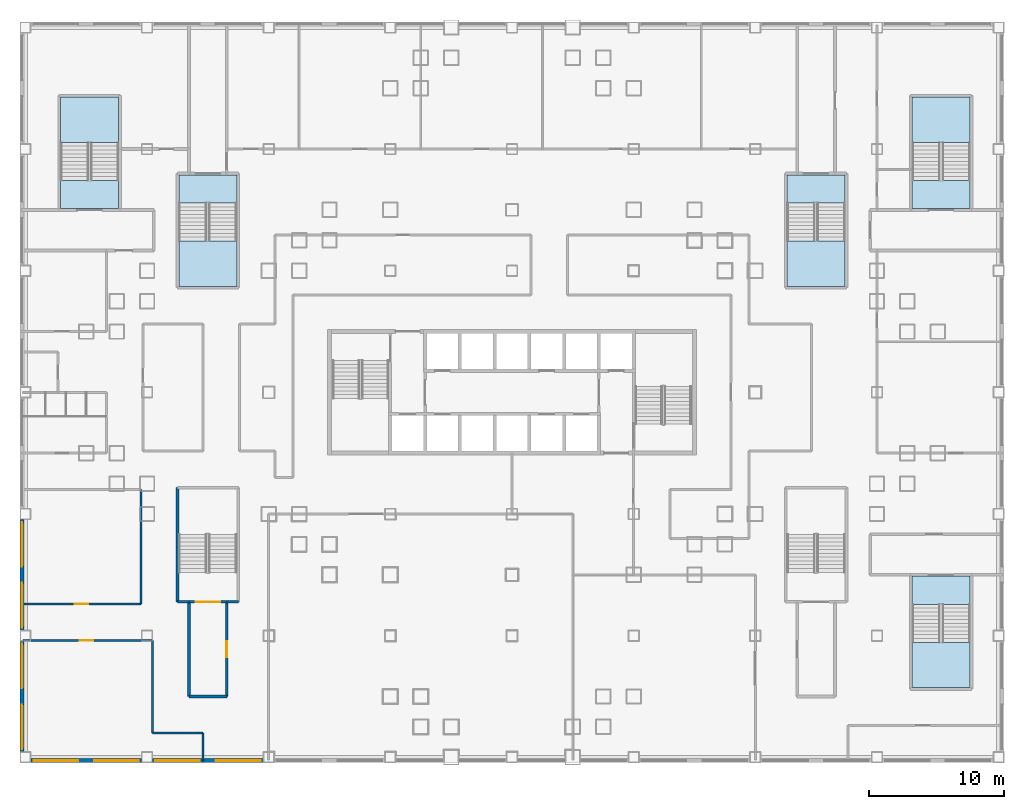
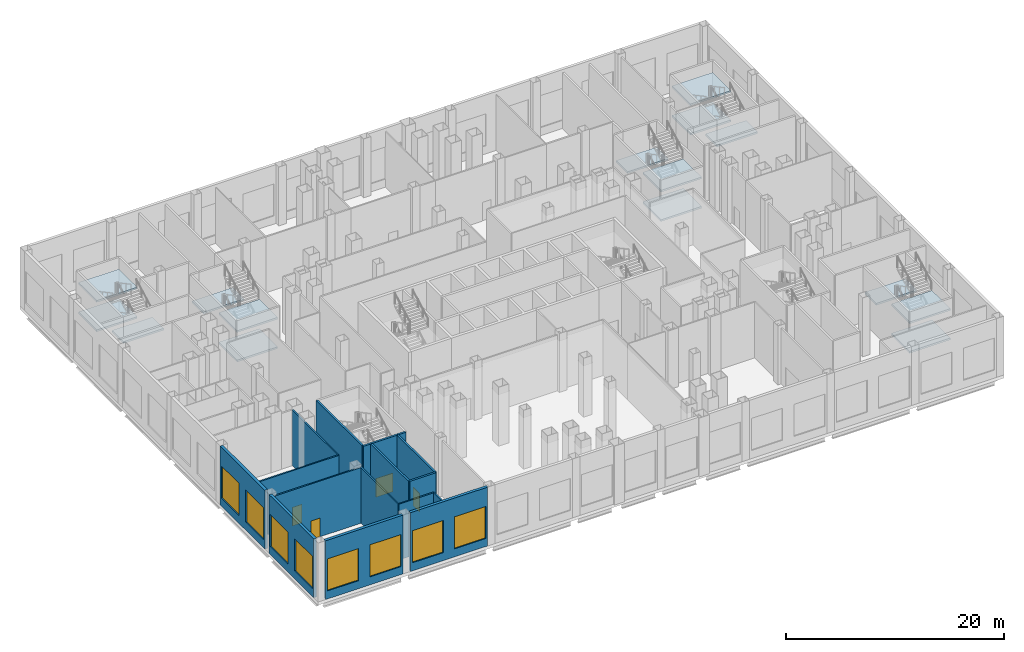
# One storey, part 2 of 26: 17 walls, 15 slabs, 8 windows, 4 doors, 12 openings, 5 elements without a shape of their own.
"""IFC4 building model written with IfcOpenShell, lengths in metres."""

import ifcopenshell
import ifcopenshell.guid

model = None  # the IFC model being written
_history = None  # IfcOwnerHistory: only IFC2X3 demands one
_inside = {}  # id of a spatial element -> (the spatial element, [elements in it])
_under = {}  # id of a project, library or spatial element -> (it, [spatial elements below it])
_declared = {}  # id of a project -> (the project, [libraries it declares])
_typed = {}  # id of a type object -> (the type object, [elements of that type])
_made_of = {}  # id of a material, layer set ... -> (it, [elements and type objects made of it])


def new_model(schema):
    """Start an empty IFC model of exactly this schema.

    Asked for "IFC4X3", IfcOpenShell would pick the latest addendum, in which some entities
    have other attributes; the version numbers below select the first issue.
    IFC2X3 requires an IfcOwnerHistory on every rooted entity: one is made here for all.
    """
    global model, _history
    if schema == "IFC4X3":
        model = ifcopenshell.file(schema_version=(4, 3, 0, 0))
    else:
        model = ifcopenshell.file(schema=schema)
    _inside.clear()
    _under.clear()
    _declared.clear()
    _typed.clear()
    _made_of.clear()
    _history = None
    if model.schema == "IFC2X3":
        org = make("IfcOrganization", Name="unknown")
        user = make(
            "IfcPersonAndOrganization",
            ThePerson=make("IfcPerson", FamilyName="unknown"),
            TheOrganization=org,
        )
        app = make(
            "IfcApplication",
            ApplicationDeveloper=org,
            Version="unknown",
            ApplicationFullName="unknown",
            ApplicationIdentifier="unknown",
        )
        _history = make(
            "IfcOwnerHistory",
            OwningUser=user,
            OwningApplication=app,
            ChangeAction="ADDED",
            CreationDate=0,
        )
    return model


def make(cls, **values):
    """One entity of the class cls with the attributes given. An attribute that is None is left unset."""
    return model.create_entity(
        cls, **{name: value for name, value in values.items() if value is not None}
    )


def rooted(cls, **values):
    """An entity with a GlobalId (a new one), such as an element, a storey or a relation."""
    return make(cls, GlobalId=ifcopenshell.guid.new(), OwnerHistory=_history, **values)


def si_unit(unit_type, name, prefix=None):
    """IfcSIUnit, for example si_unit("LENGTHUNIT", "METRE", prefix="MILLI")."""
    return make("IfcSIUnit", UnitType=unit_type, Prefix=prefix, Name=name)


def assignment(units):
    """IfcUnitAssignment: the units of a project."""
    return None if units is None else make("IfcUnitAssignment", Units=units)


def point(xyz):
    """IfcCartesianPoint."""
    return None if xyz is None else make("IfcCartesianPoint", Coordinates=xyz)


def direction(xyz):
    """IfcDirection."""
    return None if xyz is None else make("IfcDirection", DirectionRatios=xyz)


def frame(location, z_axis=None, x_axis=None):
    """IfcAxis2Placement3D, a coordinate frame: its origin and axes. An axis left out is left unset."""
    return make(
        "IfcAxis2Placement3D",
        Location=point(location),
        Axis=direction(z_axis),
        RefDirection=direction(x_axis),
    )


def frame_2d(location, x_axis=None):
    """IfcAxis2Placement2D, a coordinate frame in the plane: its origin and x axis."""
    return make(
        "IfcAxis2Placement2D", Location=point(location), RefDirection=direction(x_axis)
    )


def origin():
    """The frame at (0, 0, 0) with its axes left unset."""
    return frame((0.0, 0.0, 0.0))


def place(relative_to, where):
    """IfcLocalPlacement: puts the frame where relative to a parent placement (None: the world)."""
    return make(
        "IfcLocalPlacement", PlacementRelTo=relative_to, RelativePlacement=where
    )


def context(
    kind, dimensions, precision=None, world=None, true_north=None, identifier=None
):
    """IfcGeometricRepresentationContext, for example the 3D "Model" context."""
    return make(
        "IfcGeometricRepresentationContext",
        ContextIdentifier=identifier,
        ContextType=kind,
        CoordinateSpaceDimension=dimensions,
        Precision=precision,
        WorldCoordinateSystem=world,
        TrueNorth=true_north,
    )


def subcontext(parent, identifier, kind, view, scale=None):
    """IfcGeometricRepresentationSubContext, for example "Body" below "Model"."""
    return make(
        "IfcGeometricRepresentationSubContext",
        ContextIdentifier=identifier,
        ContextType=kind,
        ParentContext=parent,
        TargetScale=scale,
        TargetView=view,
    )


def project(units=None, contexts=None):
    """IfcProject with its units and contexts."""
    return rooted(
        "IfcProject",
        Name="project",
        RepresentationContexts=contexts,
        UnitsInContext=assignment(units),
    )


def spatial(cls, under=None, at=None, **own):
    """A site, building, storey or space (cls), placed at a placement, below another one or the project."""
    s = rooted(cls, ObjectPlacement=at, **own)
    if under is not None:
        _under.setdefault(under.id(), (under, []))[1].append(s)
    return s


def polyline(points):
    """IfcPolyline through the points."""
    return make("IfcPolyline", Points=[point(p) for p in points])


def profile(cls, at=None, kind="AREA", **sizes):
    """A parametric profile (cls). Its sizes go by their IFC names, for example OverallWidth=200.0."""
    return make(cls, ProfileType=kind, Position=at, **sizes)


def rectangle(**sizes):
    """IfcRectangleProfileDef."""
    return profile("IfcRectangleProfileDef", **sizes)


def outline(outer, holes=None, kind="AREA"):
    """IfcArbitraryClosedProfileDef: a profile drawn as a closed curve; with holes, ...WithVoids."""
    if holes is None:
        return make("IfcArbitraryClosedProfileDef", ProfileType=kind, OuterCurve=outer)
    return make(
        "IfcArbitraryProfileDefWithVoids",
        ProfileType=kind,
        OuterCurve=outer,
        InnerCurves=holes,
    )


def extrude(swept, where, along, depth):
    """IfcExtrudedAreaSolid: the profile swept, set in the frame where, extruded along a direction by depth."""
    return make(
        "IfcExtrudedAreaSolid",
        SweptArea=swept,
        Position=where,
        ExtrudedDirection=direction(along),
        Depth=depth,
    )


def shape(context_of_items, identifier, shape_type, items):
    """IfcShapeRepresentation: the items that make up one representation, for example the "Body"."""
    return make(
        "IfcShapeRepresentation",
        ContextOfItems=context_of_items,
        RepresentationIdentifier=identifier,
        RepresentationType=shape_type,
        Items=items,
    )


def material(Name=None, Category=None):
    """IfcMaterial."""
    return make("IfcMaterial", Name=Name, Category=Category)


def layer(
    of_material, thickness, ventilated=None, Name=None, Category=None, Priority=None
):
    """IfcMaterialLayer: one layer of a wall or slab, of a material (None: an air gap)."""
    return make(
        "IfcMaterialLayer",
        Material=of_material,
        LayerThickness=thickness,
        IsVentilated=ventilated,
        Name=Name,
        Category=Category,
        Priority=Priority,
    )


def layer_set(layers, Name=None):
    """IfcMaterialLayerSet."""
    return make("IfcMaterialLayerSet", MaterialLayers=layers, LayerSetName=Name)


def made_of(thing, what):
    """Note that an element or type object is made of a material, layer set ...; save() writes the relation."""
    if what is not None:
        _made_of.setdefault(what.id(), (what, []))[1].append(thing)
    return thing


def type_object(cls, material=None, **own):
    """A type object (cls), such as IfcWallType, which elements share."""
    return made_of(rooted(cls, **own), material)


def element(
    cls,
    number,
    at=None,
    inside=None,
    cuts=None,
    type_object=None,
    material=None,
    context=None,
    identifier="Body",
    shape_type=None,
    held_by="IfcProductDefinitionShape",
    body=None,
    shapes=None,
    **own,
):
    """One element of the class cls, such as IfcWall. Its Tag is "e" and its number.

    at: its placement. inside: the storey or other place that contains it. cuts: it is an
    opening in that element (IfcRelVoidsElement). A single representation is given by context,
    identifier, shape_type and body (its items); several are given by shapes. held_by: the class
    of the entity that holds the representations. save() writes the other relations.
    """
    e = rooted(cls, Tag="e%d" % number, ObjectPlacement=at, **own)
    if body is not None:
        shapes = [shape(context, identifier, shape_type, body)]
    if shapes is not None:
        e.Representation = make(held_by, Representations=shapes)
    if inside is not None:
        _inside.setdefault(inside.id(), (inside, []))[1].append(e)
    if cuts is not None:
        rooted(
            "IfcRelVoidsElement", RelatingBuildingElement=cuts, RelatedOpeningElement=e
        )
    if type_object is not None:
        _typed.setdefault(type_object.id(), (type_object, []))[1].append(e)
    return made_of(e, material)


def fill(opening, filler):
    """IfcRelFillsElement: the door or window that sits in an opening."""
    return rooted(
        "IfcRelFillsElement",
        RelatingOpeningElement=opening,
        RelatedBuildingElement=filler,
    )


def aggregate(whole, parts):
    """IfcRelAggregates: a whole, such as a stair, and the parts it consists of."""
    return rooted("IfcRelAggregates", RelatingObject=whole, RelatedObjects=parts)


def save(model, path):
    """Write the relations noted so far, then the file.

    IfcRelAggregates (storeys below a building ...), IfcRelContainedInSpatialStructure (elements
    in a storey), IfcRelDefinesByType, IfcRelAssociatesMaterial and IfcRelDeclares: one each for
    every whole, place, type object, material and project.
    """
    for whole, parts in _under.values():
        aggregate(whole, parts)
    for where, things in _inside.values():
        rooted(
            "IfcRelContainedInSpatialStructure",
            RelatedElements=things,
            RelatingStructure=where,
        )
    for kind, things in _typed.values():
        rooted("IfcRelDefinesByType", RelatedObjects=things, RelatingType=kind)
    for what, things in _made_of.values():
        rooted("IfcRelAssociatesMaterial", RelatedObjects=things, RelatingMaterial=what)
    for by, libraries in _declared.values():
        rooted("IfcRelDeclares", RelatingContext=by, RelatedDefinitions=libraries)
    model.write(path)


model = new_model("IFC4")

# Units and contexts
model_context = context("Model", 3, precision=1e-05, world=origin(), true_north=direction((0.0, 1.0)))
body_context = subcontext(model_context, "Body", "Model", "MODEL_VIEW")
ifc_project = project(units=[si_unit("LENGTHUNIT", "METRE"), si_unit("AREAUNIT", "SQUARE_METRE"), si_unit("VOLUMEUNIT", "CUBIC_METRE"), si_unit("PLANEANGLEUNIT", "RADIAN"), si_unit("MASSUNIT", "GRAM", prefix="KILO")], contexts=[model_context])

# Site, building, storey
site_placement = place(None, origin())
site = spatial("IfcSite", under=ifc_project, at=site_placement, CompositionType="ELEMENT")
building_placement = place(site_placement, origin())
building = spatial("IfcBuilding", under=site, at=building_placement, Name="Caravel Reach Hotel and Residences", CompositionType="ELEMENT")
storey_placement = place(building_placement, frame((0.0, 0.0, 17.39990234375)))
storey = spatial("IfcBuildingStorey", under=building, at=storey_placement, Name="L03", CompositionType="ELEMENT", Elevation=17.39990234375)

# Stair, slabs
ifc_material_1 = material(Name="Concrete C40", Category="concrete")
stair_type = type_object("IfcStairType", Name="Core stair", PredefinedType="HALF_TURN_STAIR", material=ifc_material_1)
stair_1_placement = place(storey_placement, origin())
stair_1 = element("IfcStair", 1, at=stair_1_placement, inside=storey, type_object=stair_type, Name="L03 Exit stair P1", PredefinedType="HALF_TURN_STAIR")
ifc_material_2 = material(Name="Concrete C40", Category="concrete")
ifc_layer_1 = layer(ifc_material_2, 0.199951171875)
ifc_layer_set_1 = layer_set([ifc_layer_1], Name="Core stair landing")
slab_type = type_object("IfcSlabType", Name="Core stair landing", PredefinedType="LANDING", material=ifc_layer_set_1)
slab_1_placement = place(storey_placement, frame((0.0, 0.0, 1.4501953125)))
slab_1 = element("IfcSlab", 2, at=slab_1_placement, type_object=slab_type, Name="ST-P1 landing 1", PredefinedType="LANDING", context=body_context, shape_type="SweptSolid", body=[
    extrude(outline(polyline([(6.85009765625, 38.2099609375), (6.85009765625, 34.85009765625), (11.14990234375, 34.85009765625), (11.14990234375, 38.2099609375), (6.85009765625, 38.2099609375)])), origin(), (0.0, 0.0, 1.0), 0.199951171875),
])
slab_2_placement = place(storey_placement, frame((0.0, 0.0, 3.10009765625)))
slab_2 = element("IfcSlab", 3, at=slab_2_placement, type_object=slab_type, Name="ST-P1 landing 2", PredefinedType="LANDING", context=body_context, shape_type="SweptSolid", body=[
    extrude(outline(polyline([(6.85009765625, 43.10009765625), (6.85009765625, 41.010009765625), (11.14990234375, 41.010009765625), (11.14990234375, 43.10009765625), (6.85009765625, 43.10009765625)])), origin(), (0.0, 0.0, 1.0), 0.199951171875),
])
slab_3_placement = place(storey_placement, frame((0.0, 0.0, 4.75)))
slab_3 = element("IfcSlab", 4, at=slab_3_placement, type_object=slab_type, Name="ST-P1 landing 3", PredefinedType="LANDING", context=body_context, shape_type="SweptSolid", body=[
    extrude(outline(polyline([(6.85009765625, 38.2099609375), (6.85009765625, 34.85009765625), (11.14990234375, 34.85009765625), (11.14990234375, 38.2099609375), (6.85009765625, 38.2099609375)])), origin(), (0.0, 0.0, 1.0), 0.2001953125),
])
aggregate(stair_1, [slab_1, slab_2, slab_3])

stair_2_placement = place(storey_placement, origin())
stair_2 = element("IfcStair", 5, at=stair_2_placement, inside=storey, type_object=stair_type, Name="L03 Exit stair P2", PredefinedType="HALF_TURN_STAIR")
slab_4_placement = place(storey_placement, frame((0.0, 0.0, 1.4501953125)))
slab_4 = element("IfcSlab", 6, at=slab_4_placement, type_object=slab_type, Name="ST-P2 landing 1", PredefinedType="LANDING", context=body_context, shape_type="SweptSolid", body=[
    extrude(outline(polyline([(51.85009765625, 38.2099609375), (51.85009765625, 34.85009765625), (56.14990234375, 34.85009765625), (56.14990234375, 38.2099609375), (51.85009765625, 38.2099609375)])), origin(), (0.0, 0.0, 1.0), 0.199951171875),
])
slab_5_placement = place(storey_placement, frame((0.0, 0.0, 3.10009765625)))
slab_5 = element("IfcSlab", 7, at=slab_5_placement, type_object=slab_type, Name="ST-P2 landing 2", PredefinedType="LANDING", context=body_context, shape_type="SweptSolid", body=[
    extrude(outline(polyline([(51.85009765625, 43.10009765625), (51.85009765625, 41.010009765625), (56.14990234375, 41.010009765625), (56.14990234375, 43.10009765625), (51.85009765625, 43.10009765625)])), origin(), (0.0, 0.0, 1.0), 0.199951171875),
])
slab_6_placement = place(storey_placement, frame((0.0, 0.0, 4.75)))
slab_6 = element("IfcSlab", 8, at=slab_6_placement, type_object=slab_type, Name="ST-P2 landing 3", PredefinedType="LANDING", context=body_context, shape_type="SweptSolid", body=[
    extrude(outline(polyline([(51.85009765625, 38.2099609375), (51.85009765625, 34.85009765625), (56.14990234375, 34.85009765625), (56.14990234375, 38.2099609375), (51.85009765625, 38.2099609375)])), origin(), (0.0, 0.0, 1.0), 0.2001953125),
])
aggregate(stair_2, [slab_4, slab_5, slab_6])

stair_3_placement = place(storey_placement, origin())
stair_3 = element("IfcStair", 9, at=stair_3_placement, inside=storey, type_object=stair_type, Name="L03 Exit stair P5", PredefinedType="HALF_TURN_STAIR")
slab_7_placement = place(storey_placement, frame((0.0, 0.0, 1.4501953125)))
slab_7 = element("IfcSlab", 10, at=slab_7_placement, type_object=slab_type, Name="ST-P5 landing 1", PredefinedType="LANDING", context=body_context, shape_type="SweptSolid", body=[
    extrude(outline(polyline([(2.39990234375, 45.489990234375), (2.39990234375, 48.85009765625), (-1.89990234375, 48.85009765625), (-1.89990234375, 45.489990234375), (2.39990234375, 45.489990234375)])), origin(), (0.0, 0.0, 1.0), 0.199951171875),
])
slab_8_placement = place(storey_placement, frame((0.0, 0.0, 3.10009765625)))
slab_8 = element("IfcSlab", 11, at=slab_8_placement, type_object=slab_type, Name="ST-P5 landing 2", PredefinedType="LANDING", context=body_context, shape_type="SweptSolid", body=[
    extrude(outline(polyline([(2.39990234375, 40.60009765625), (2.39990234375, 42.68994140625), (-1.89990234375, 42.68994140625), (-1.89990234375, 40.60009765625), (2.39990234375, 40.60009765625)])), origin(), (0.0, 0.0, 1.0), 0.199951171875),
])
slab_9_placement = place(storey_placement, frame((0.0, 0.0, 4.75)))
slab_9 = element("IfcSlab", 12, at=slab_9_placement, type_object=slab_type, Name="ST-P5 landing 3", PredefinedType="LANDING", context=body_context, shape_type="SweptSolid", body=[
    extrude(outline(polyline([(2.39990234375, 45.489990234375), (2.39990234375, 48.85009765625), (-1.89990234375, 48.85009765625), (-1.89990234375, 45.489990234375), (2.39990234375, 45.489990234375)])), origin(), (0.0, 0.0, 1.0), 0.2001953125),
])
aggregate(stair_3, [slab_7, slab_8, slab_9])

stair_4_placement = place(storey_placement, origin())
stair_4 = element("IfcStair", 13, at=stair_4_placement, inside=storey, type_object=stair_type, Name="L03 Exit stair P6", PredefinedType="HALF_TURN_STAIR")
slab_10_placement = place(storey_placement, frame((0.0, 0.0, 1.4501953125)))
slab_10 = element("IfcSlab", 14, at=slab_10_placement, type_object=slab_type, Name="ST-P6 landing 1", PredefinedType="LANDING", context=body_context, shape_type="SweptSolid", body=[
    extrude(outline(polyline([(65.39990234375, 45.489990234375), (65.39990234375, 48.85009765625), (61.10009765625, 48.85009765625), (61.10009765625, 45.489990234375), (65.39990234375, 45.489990234375)])), origin(), (0.0, 0.0, 1.0), 0.199951171875),
])
slab_11_placement = place(storey_placement, frame((0.0, 0.0, 3.10009765625)))
slab_11 = element("IfcSlab", 15, at=slab_11_placement, type_object=slab_type, Name="ST-P6 landing 2", PredefinedType="LANDING", context=body_context, shape_type="SweptSolid", body=[
    extrude(outline(polyline([(65.39990234375, 40.60009765625), (65.39990234375, 42.68994140625), (61.10009765625, 42.68994140625), (61.10009765625, 40.60009765625), (65.39990234375, 40.60009765625)])), origin(), (0.0, 0.0, 1.0), 0.199951171875),
])
slab_12_placement = place(storey_placement, frame((0.0, 0.0, 4.75)))
slab_12 = element("IfcSlab", 16, at=slab_12_placement, type_object=slab_type, Name="ST-P6 landing 3", PredefinedType="LANDING", context=body_context, shape_type="SweptSolid", body=[
    extrude(outline(polyline([(65.39990234375, 45.489990234375), (65.39990234375, 48.85009765625), (61.10009765625, 48.85009765625), (61.10009765625, 45.489990234375), (65.39990234375, 45.489990234375)])), origin(), (0.0, 0.0, 1.0), 0.2001953125),
])
aggregate(stair_4, [slab_10, slab_11, slab_12])

stair_5_placement = place(storey_placement, origin())
stair_5 = element("IfcStair", 17, at=stair_5_placement, inside=storey, type_object=stair_type, Name="L03 Exit stair P7", PredefinedType="HALF_TURN_STAIR")
slab_13_placement = place(storey_placement, frame((0.0, 0.0, 1.4501953125)))
slab_13 = element("IfcSlab", 18, at=slab_13_placement, type_object=slab_type, Name="ST-P7 landing 1", PredefinedType="LANDING", context=body_context, shape_type="SweptSolid", body=[
    extrude(outline(polyline([(61.10009765625, 8.510009765625), (61.10009765625, 5.14990234375), (65.39990234375, 5.14990234375), (65.39990234375, 8.510009765625), (61.10009765625, 8.510009765625)])), origin(), (0.0, 0.0, 1.0), 0.199951171875),
])
slab_14_placement = place(storey_placement, frame((0.0, 0.0, 3.10009765625)))
slab_14 = element("IfcSlab", 19, at=slab_14_placement, type_object=slab_type, Name="ST-P7 landing 2", PredefinedType="LANDING", context=body_context, shape_type="SweptSolid", body=[
    extrude(outline(polyline([(61.10009765625, 13.39990234375), (61.10009765625, 11.31005859375), (65.39990234375, 11.31005859375), (65.39990234375, 13.39990234375), (61.10009765625, 13.39990234375)])), origin(), (0.0, 0.0, 1.0), 0.199951171875),
])
slab_15_placement = place(storey_placement, frame((0.0, 0.0, 4.75)))
slab_15 = element("IfcSlab", 20, at=slab_15_placement, type_object=slab_type, Name="ST-P7 landing 3", PredefinedType="LANDING", context=body_context, shape_type="SweptSolid", body=[
    extrude(outline(polyline([(61.10009765625, 8.510009765625), (61.10009765625, 5.14990234375), (65.39990234375, 5.14990234375), (65.39990234375, 8.510009765625), (61.10009765625, 8.510009765625)])), origin(), (0.0, 0.0, 1.0), 0.2001953125),
])
aggregate(stair_5, [slab_13, slab_14, slab_15])

# Wall
ifc_material_3 = material(Name="Autoclaved aerated block wall")
ifc_layer_2 = layer(ifc_material_3, 0.199951171875)
ifc_layer_set_2 = layer_set([ifc_layer_2], Name="Compartment wall 200 mm EI 120")
wall_type_1 = type_object("IfcWallType", Name="Compartment wall 200 mm EI 120", PredefinedType="PARTITIONING", material=ifc_layer_set_2)
wall_1_placement = place(storey_placement, frame((7.60009765625, 4.5, 0.0), z_axis=(0.0, 0.0, 1.0), x_axis=(1.0, 0.0, 0.0)))
element("IfcWall", 21, at=wall_1_placement, inside=storey, type_object=wall_type_1, Name="L03 wall w077", PredefinedType="PARTITIONING", context=body_context, shape_type="SweptSolid", body=[
    extrude(rectangle(XDim=2.7998046875, YDim=0.199951171875, at=frame_2d((1.39990234375, 0.0))), origin(), (0.0, 0.0, 1.0), 6.25),
])

# Wall, opening, door
wall_2_placement = place(storey_placement, frame((10.39990234375, 4.5, 0.0), z_axis=(0.0, 0.0, 1.0), x_axis=(0.0, 1.0, 0.0)))
wall_2 = element("IfcWall", 22, at=wall_2_placement, inside=storey, type_object=wall_type_1, Name="L03 wall w087", PredefinedType="PARTITIONING", context=body_context, shape_type="SweptSolid", body=[
    extrude(rectangle(XDim=7.0, YDim=0.199951171875, at=frame_2d((3.5, 0.0))), origin(), (0.0, 0.0, 1.0), 6.25),
])
opening_1_placement = place(wall_2_placement, frame((2.89990234375, 0.0, 0.0)))
opening_1 = element("IfcOpeningElement", 23, at=opening_1_placement, cuts=wall_2, Name="Opening D03-018", PredefinedType="OPENING", context=body_context, shape_type="SweptSolid", body=[
    extrude(rectangle(XDim=1.199951171875, YDim=2.10009765625, at=frame_2d((0.60009765625, 1.050048828125))), frame((0.0, 0.10986328125, 0.0), z_axis=(0.0, -1.0, 0.0), x_axis=(1.0, 0.0, 0.0)), (0.0, 0.0, 1.0), 0.219970703125),
])
ifc_material_4 = material(Name="Steel fire door leaf", Category="steel")
door_type_1 = type_object("IfcDoorType", Name="Fire lobby door 1200 x 2100 EI 90", OperationType="SINGLE_SWING_LEFT", PredefinedType="DOOR", material=ifc_material_4)
door_1_placement = place(opening_1_placement, origin())
door_1 = element("IfcDoor", 24, at=door_1_placement, inside=storey, type_object=door_type_1, Name="door D03-018", OperationType="SINGLE_SWING_LEFT", OverallHeight=2.10009765625, OverallWidth=1.199951171875, PredefinedType="DOOR", context=body_context, shape_type="SweptSolid", body=[
    extrude(rectangle(XDim=1.199951171875, YDim=2.10009765625, at=frame_2d((0.60009765625, 1.050048828125))), frame((0.0, 0.02490234375, 0.0), z_axis=(0.0, -1.0, 0.0), x_axis=(1.0, 0.0, 0.0)), (0.0, 0.0, 1.0), 0.050048828125),
])
fill(opening_1, door_1)

# Walls
wall_3_placement = place(storey_placement, frame((7.60009765625, 4.5, 0.0), z_axis=(0.0, 0.0, 1.0), x_axis=(0.0, 1.0, 0.0)))
element("IfcWall", 25, at=wall_3_placement, inside=storey, type_object=wall_type_1, Name="L03 wall w098", PredefinedType="PARTITIONING", context=body_context, shape_type="SweptSolid", body=[
    extrude(rectangle(XDim=7.0, YDim=0.199951171875, at=frame_2d((3.5, 0.0))), origin(), (0.0, 0.0, 1.0), 6.25),
])
ifc_material_5 = material(Name="Gypsum board on steel stud, fire-rated", Category="steel")
ifc_layer_3 = layer(ifc_material_5, 0.14990234375)
ifc_layer_set_3 = layer_set([ifc_layer_3], Name="Corridor wall 150 mm EI 60")
wall_type_2 = type_object("IfcWallType", Name="Corridor wall 150 mm EI 60", PredefinedType="PARTITIONING", material=ifc_layer_set_3)
wall_4_placement = place(storey_placement, frame((4.89990234375, 1.800048828125, 0.0), z_axis=(0.0, 0.0, 1.0), x_axis=(1.0, 0.0, 0.0)))
element("IfcWall", 26, at=wall_4_placement, inside=storey, type_object=wall_type_2, Name="L03 wall w001", PredefinedType="PARTITIONING", context=body_context, shape_type="SweptSolid", body=[
    extrude(rectangle(XDim=3.75, YDim=0.14990234375, at=frame_2d((1.875, 0.0))), origin(), (0.0, 0.0, 1.0), 6.25),
])

# Wall, opening, door
wall_5_placement = place(storey_placement, frame((-4.6201171875, 11.35009765625, 0.0), z_axis=(0.0, 0.0, 1.0), x_axis=(1.0, 0.0, 0.0)))
wall_5 = element("IfcWall", 27, at=wall_5_placement, inside=storey, type_object=wall_type_2, Name="L03 wall w002", PredefinedType="PARTITIONING", context=body_context, shape_type="SweptSolid", body=[
    extrude(rectangle(XDim=8.670166015625, YDim=0.14990234375, at=frame_2d((4.3349609375, 0.0))), origin(), (0.0, 0.0, 1.0), 6.25),
])
opening_2_placement = place(wall_5_placement, frame((3.77490234375, 0.0, 0.0)))
opening_2 = element("IfcOpeningElement", 28, at=opening_2_placement, cuts=wall_5, Name="Opening D03-048", PredefinedType="OPENING", context=body_context, shape_type="SweptSolid", body=[
    extrude(rectangle(XDim=1.0, YDim=2.10009765625, at=frame_2d((0.5, 1.050048828125))), frame((0.0, 0.0849609375, 0.0), z_axis=(0.0, -1.0, 0.0), x_axis=(1.0, 0.0, 0.0)), (0.0, 0.0, 1.0), 0.169921875),
])
ifc_material_6 = material(Name="Steel fire door leaf", Category="steel")
door_type_2 = type_object("IfcDoorType", Name="Fire door 1000 x 2100 EI 60", OperationType="SINGLE_SWING_LEFT", PredefinedType="DOOR", material=ifc_material_6)
door_2_placement = place(opening_2_placement, origin())
door_2 = element("IfcDoor", 29, at=door_2_placement, inside=storey, type_object=door_type_2, Name="door D03-048", OperationType="SINGLE_SWING_RIGHT", OverallHeight=2.10009765625, OverallWidth=1.0, PredefinedType="DOOR", context=body_context, shape_type="SweptSolid", body=[
    extrude(rectangle(XDim=1.0, YDim=2.10009765625, at=frame_2d((0.5, 1.050048828125))), frame((0.0, 0.02490234375, 0.0), z_axis=(0.0, -1.0, 0.0), x_axis=(1.0, 0.0, 0.0)), (0.0, 0.0, 1.0), 0.050048828125),
])
fill(opening_2, door_2)

wall_6_placement = place(storey_placement, frame((-4.68994140625, 8.64990234375, 0.0), z_axis=(0.0, 0.0, 1.0), x_axis=(1.0, 0.0, 0.0)))
wall_6 = element("IfcWall", 30, at=wall_6_placement, inside=storey, type_object=wall_type_2, Name="L03 wall w030", PredefinedType="PARTITIONING", context=body_context, shape_type="SweptSolid", body=[
    extrude(rectangle(XDim=9.58984375, YDim=0.14990234375, at=frame_2d((4.794921875, 0.0))), origin(), (0.0, 0.0, 1.0), 6.25),
])
opening_3_placement = place(wall_6_placement, frame((4.199951171875, 0.0, 0.0)))
opening_3 = element("IfcOpeningElement", 31, at=opening_3_placement, cuts=wall_6, Name="Opening D03-047", PredefinedType="OPENING", context=body_context, shape_type="SweptSolid", body=[
    extrude(rectangle(XDim=1.0, YDim=2.10009765625, at=frame_2d((0.5, 1.050048828125))), frame((0.0, 0.0849609375, 0.0), z_axis=(0.0, -1.0, 0.0), x_axis=(1.0, 0.0, 0.0)), (0.0, 0.0, 1.0), 0.169921875),
])
door_3_placement = place(opening_3_placement, origin())
door_3 = element("IfcDoor", 32, at=door_3_placement, inside=storey, type_object=door_type_2, Name="door D03-047", OperationType="SINGLE_SWING_LEFT", OverallHeight=2.10009765625, OverallWidth=1.0, PredefinedType="DOOR", context=body_context, shape_type="SweptSolid", body=[
    extrude(rectangle(XDim=1.0, YDim=2.10009765625, at=frame_2d((0.5, 1.050048828125))), frame((0.0, 0.02490234375, 0.0), z_axis=(0.0, -1.0, 0.0), x_axis=(1.0, 0.0, 0.0)), (0.0, 0.0, 1.0), 0.050048828125),
])
fill(opening_3, door_3)

# Walls
wall_7_placement = place(storey_placement, frame((4.050048828125, 11.35009765625, 0.0), z_axis=(0.0, 0.0, 1.0), x_axis=(0.0, 1.0, 0.0)))
element("IfcWall", 33, at=wall_7_placement, inside=storey, type_object=wall_type_2, Name="L03 wall w042", PredefinedType="PARTITIONING", context=body_context, shape_type="SweptSolid", body=[
    extrude(rectangle(XDim=8.449951171875, YDim=0.14990234375, at=frame_2d((4.22509765625, 0.0))), origin(), (0.0, 0.0, 1.0), 6.25),
])
wall_8_placement = place(storey_placement, frame((4.89990234375, 1.800048828125, 0.0), z_axis=(0.0, 0.0, 1.0), x_axis=(0.0, 1.0, 0.0)))
element("IfcWall", 34, at=wall_8_placement, inside=storey, type_object=wall_type_2, Name="L03 wall w044", PredefinedType="PARTITIONING", context=body_context, shape_type="SweptSolid", body=[
    extrude(rectangle(XDim=6.849853515625, YDim=0.14990234375, at=frame_2d((3.4248046875, 0.0))), origin(), (0.0, 0.0, 1.0), 6.25),
])
wall_9_placement = place(storey_placement, frame((8.64990234375, -0.2900390625, 0.0), z_axis=(0.0, 0.0, 1.0), x_axis=(0.0, 1.0, 0.0)))
element("IfcWall", 35, at=wall_9_placement, inside=storey, type_object=wall_type_2, Name="L03 wall w057", PredefinedType="PARTITIONING", context=body_context, shape_type="SweptSolid", body=[
    extrude(rectangle(XDim=2.090087890625, YDim=0.14990234375, at=frame_2d((1.044921875, 0.0))), origin(), (0.0, 0.0, 1.0), 6.25),
])

# Wall, openings, windows
ifc_material_7 = material(Name="Insulated wall, stone cladding", Category="masonry")
ifc_layer_4 = layer(ifc_material_7, 0.300048828125)
ifc_layer_set_4 = layer_set([ifc_layer_4], Name="EW2 Podium stone-clad wall")
wall_type_3 = type_object("IfcWallType", Name="EW2 Podium stone-clad wall", PredefinedType="SOLIDWALL", material=ifc_layer_set_4)
wall_10_placement = place(storey_placement, frame((-4.75, 17.60009765625, 0.0), z_axis=(0.0, 0.0, 1.0), x_axis=(0.0, -1.0, 0.0)))
wall_10 = element("IfcWall", 36, at=wall_10_placement, inside=storey, type_object=wall_type_3, Name="External wall L03 W3.5", PredefinedType="SOLIDWALL", context=body_context, shape_type="SweptSolid", body=[
    extrude(rectangle(XDim=8.2001953125, YDim=0.300048828125, at=frame_2d((4.10009765625, 0.0))), origin(), (0.0, 0.0, 1.0), 6.60009765625),
])
opening_4_placement = place(wall_10_placement, frame((0.199951171875, 0.0, 0.89990234375)))
opening_4 = element("IfcOpeningElement", 37, at=opening_4_placement, cuts=wall_10, Name="Opening WN31", PredefinedType="OPENING", context=body_context, shape_type="SweptSolid", body=[
    extrude(rectangle(XDim=3.300048828125, YDim=3.60009765625, at=frame_2d((1.64990234375, 1.800048828125))), frame((0.0, 0.159912109375, 0.0), z_axis=(0.0, -1.0, 0.0), x_axis=(1.0, 0.0, 0.0)), (0.0, 0.0, 1.0), 0.320068359375),
])
opening_5_placement = place(wall_10_placement, frame((4.699951171875, 0.0, 0.89990234375)))
opening_5 = element("IfcOpeningElement", 38, at=opening_5_placement, cuts=wall_10, Name="Opening WN31", PredefinedType="OPENING", context=body_context, shape_type="SweptSolid", body=[
    extrude(rectangle(XDim=3.300048828125, YDim=3.60009765625, at=frame_2d((1.64990234375, 1.800048828125))), frame((0.0, 0.159912109375, 0.0), z_axis=(0.0, -1.0, 0.0), x_axis=(1.0, 0.0, 0.0)), (0.0, 0.0, 1.0), 0.320068359375),
])
ifc_material_8 = material(Name="Dark low-e glazing in black aluminium frame", Category="aluminium")
window_type = type_object("IfcWindowType", Name="Podium window 3300 x 3600", PartitioningType="SINGLE_PANEL", PredefinedType="WINDOW", material=ifc_material_8)
window_1_placement = place(opening_4_placement, origin())
window_1 = element("IfcWindow", 39, at=window_1_placement, inside=storey, type_object=window_type, Name="Window L03 W3.5.1", OverallHeight=3.60009765625, OverallWidth=3.300048828125, PartitioningType="SINGLE_PANEL", PredefinedType="WINDOW", context=body_context, shape_type="SweptSolid", body=[
    extrude(rectangle(XDim=3.300048828125, YDim=3.60009765625, at=frame_2d((1.64990234375, 1.800048828125))), frame((0.0, 0.030029296875, 0.0), z_axis=(0.0, -1.0, 0.0), x_axis=(1.0, 0.0, 0.0)), (0.0, 0.0, 1.0), 0.06005859375),
])
fill(opening_4, window_1)
window_2_placement = place(opening_5_placement, origin())
window_2 = element("IfcWindow", 40, at=window_2_placement, inside=storey, type_object=window_type, Name="Window L03 W3.5.2", OverallHeight=3.60009765625, OverallWidth=3.300048828125, PartitioningType="SINGLE_PANEL", PredefinedType="WINDOW", context=body_context, shape_type="SweptSolid", body=[
    extrude(rectangle(XDim=3.300048828125, YDim=3.60009765625, at=frame_2d((1.64990234375, 1.800048828125))), frame((0.0, 0.030029296875, 0.0), z_axis=(0.0, -1.0, 0.0), x_axis=(1.0, 0.0, 0.0)), (0.0, 0.0, 1.0), 0.06005859375),
])
fill(opening_5, window_2)

wall_11_placement = place(storey_placement, frame((-4.75, 8.60009765625, 0.0), z_axis=(0.0, 0.0, 1.0), x_axis=(0.0, -1.0, 0.0)))
wall_11 = element("IfcWall", 41, at=wall_11_placement, inside=storey, type_object=wall_type_3, Name="External wall L03 W3.6", PredefinedType="SOLIDWALL", context=body_context, shape_type="SweptSolid", body=[
    extrude(rectangle(XDim=8.2001953125, YDim=0.300048828125, at=frame_2d((4.10009765625, 0.0))), origin(), (0.0, 0.0, 1.0), 6.60009765625),
])
opening_6_placement = place(wall_11_placement, frame((0.199951171875, 0.0, 0.89990234375)))
opening_6 = element("IfcOpeningElement", 42, at=opening_6_placement, cuts=wall_11, Name="Opening WN31", PredefinedType="OPENING", context=body_context, shape_type="SweptSolid", body=[
    extrude(rectangle(XDim=3.300048828125, YDim=3.60009765625, at=frame_2d((1.64990234375, 1.800048828125))), frame((0.0, 0.159912109375, 0.0), z_axis=(0.0, -1.0, 0.0), x_axis=(1.0, 0.0, 0.0)), (0.0, 0.0, 1.0), 0.320068359375),
])
opening_7_placement = place(wall_11_placement, frame((4.699951171875, 0.0, 0.89990234375)))
opening_7 = element("IfcOpeningElement", 43, at=opening_7_placement, cuts=wall_11, Name="Opening WN31", PredefinedType="OPENING", context=body_context, shape_type="SweptSolid", body=[
    extrude(rectangle(XDim=3.300048828125, YDim=3.60009765625, at=frame_2d((1.64990234375, 1.800048828125))), frame((0.0, 0.159912109375, 0.0), z_axis=(0.0, -1.0, 0.0), x_axis=(1.0, 0.0, 0.0)), (0.0, 0.0, 1.0), 0.320068359375),
])
window_3_placement = place(opening_6_placement, origin())
window_3 = element("IfcWindow", 44, at=window_3_placement, inside=storey, type_object=window_type, Name="Window L03 W3.6.1", OverallHeight=3.60009765625, OverallWidth=3.300048828125, PartitioningType="SINGLE_PANEL", PredefinedType="WINDOW", context=body_context, shape_type="SweptSolid", body=[
    extrude(rectangle(XDim=3.300048828125, YDim=3.60009765625, at=frame_2d((1.64990234375, 1.800048828125))), frame((0.0, 0.030029296875, 0.0), z_axis=(0.0, -1.0, 0.0), x_axis=(1.0, 0.0, 0.0)), (0.0, 0.0, 1.0), 0.06005859375),
])
fill(opening_6, window_3)
window_4_placement = place(opening_7_placement, origin())
window_4 = element("IfcWindow", 45, at=window_4_placement, inside=storey, type_object=window_type, Name="Window L03 W3.6.2", OverallHeight=3.60009765625, OverallWidth=3.300048828125, PartitioningType="SINGLE_PANEL", PredefinedType="WINDOW", context=body_context, shape_type="SweptSolid", body=[
    extrude(rectangle(XDim=3.300048828125, YDim=3.60009765625, at=frame_2d((1.64990234375, 1.800048828125))), frame((0.0, 0.030029296875, 0.0), z_axis=(0.0, -1.0, 0.0), x_axis=(1.0, 0.0, 0.0)), (0.0, 0.0, 1.0), 0.06005859375),
])
fill(opening_7, window_4)

wall_12_placement = place(storey_placement, frame((-4.10009765625, -0.25, 0.0), z_axis=(0.0, 0.0, 1.0), x_axis=(1.0, 0.0, 0.0)))
wall_12 = element("IfcWall", 46, at=wall_12_placement, inside=storey, type_object=wall_type_3, Name="External wall L03 S4.1", PredefinedType="SOLIDWALL", context=body_context, shape_type="SweptSolid", body=[
    extrude(rectangle(XDim=8.2001953125, YDim=0.300048828125, at=frame_2d((4.10009765625, 0.0))), origin(), (0.0, 0.0, 1.0), 6.60009765625),
])
opening_8_placement = place(wall_12_placement, frame((0.199951171875, 0.0, 0.89990234375)))
opening_8 = element("IfcOpeningElement", 47, at=opening_8_placement, cuts=wall_12, Name="Opening WN31", PredefinedType="OPENING", context=body_context, shape_type="SweptSolid", body=[
    extrude(rectangle(XDim=3.300048828125, YDim=3.60009765625, at=frame_2d((1.64990234375, 1.800048828125))), frame((0.0, 0.159912109375, 0.0), z_axis=(0.0, -1.0, 0.0), x_axis=(1.0, 0.0, 0.0)), (0.0, 0.0, 1.0), 0.320068359375),
])
opening_9_placement = place(wall_12_placement, frame((4.699951171875, 0.0, 0.89990234375)))
opening_9 = element("IfcOpeningElement", 48, at=opening_9_placement, cuts=wall_12, Name="Opening WN31", PredefinedType="OPENING", context=body_context, shape_type="SweptSolid", body=[
    extrude(rectangle(XDim=3.300048828125, YDim=3.60009765625, at=frame_2d((1.64990234375, 1.800048828125))), frame((0.0, 0.159912109375, 0.0), z_axis=(0.0, -1.0, 0.0), x_axis=(1.0, 0.0, 0.0)), (0.0, 0.0, 1.0), 0.320068359375),
])
window_5_placement = place(opening_8_placement, origin())
window_5 = element("IfcWindow", 49, at=window_5_placement, inside=storey, type_object=window_type, Name="Window L03 S4.1.1", OverallHeight=3.60009765625, OverallWidth=3.300048828125, PartitioningType="SINGLE_PANEL", PredefinedType="WINDOW", context=body_context, shape_type="SweptSolid", body=[
    extrude(rectangle(XDim=3.300048828125, YDim=3.60009765625, at=frame_2d((1.64990234375, 1.800048828125))), frame((0.0, 0.030029296875, 0.0), z_axis=(0.0, -1.0, 0.0), x_axis=(1.0, 0.0, 0.0)), (0.0, 0.0, 1.0), 0.06005859375),
])
fill(opening_8, window_5)
window_6_placement = place(opening_9_placement, origin())
window_6 = element("IfcWindow", 50, at=window_6_placement, inside=storey, type_object=window_type, Name="Window L03 S4.1.2", OverallHeight=3.60009765625, OverallWidth=3.300048828125, PartitioningType="SINGLE_PANEL", PredefinedType="WINDOW", context=body_context, shape_type="SweptSolid", body=[
    extrude(rectangle(XDim=3.300048828125, YDim=3.60009765625, at=frame_2d((1.64990234375, 1.800048828125))), frame((0.0, 0.030029296875, 0.0), z_axis=(0.0, -1.0, 0.0), x_axis=(1.0, 0.0, 0.0)), (0.0, 0.0, 1.0), 0.06005859375),
])
fill(opening_9, window_6)

wall_13_placement = place(storey_placement, frame((4.89990234375, -0.25, 0.0), z_axis=(0.0, 0.0, 1.0), x_axis=(1.0, 0.0, 0.0)))
wall_13 = element("IfcWall", 51, at=wall_13_placement, inside=storey, type_object=wall_type_3, Name="External wall L03 S4.2", PredefinedType="SOLIDWALL", context=body_context, shape_type="SweptSolid", body=[
    extrude(rectangle(XDim=8.2001953125, YDim=0.300048828125, at=frame_2d((4.10009765625, 0.0))), origin(), (0.0, 0.0, 1.0), 6.60009765625),
])
opening_10_placement = place(wall_13_placement, frame((0.199951171875, 0.0, 0.89990234375)))
opening_10 = element("IfcOpeningElement", 52, at=opening_10_placement, cuts=wall_13, Name="Opening WN31", PredefinedType="OPENING", context=body_context, shape_type="SweptSolid", body=[
    extrude(rectangle(XDim=3.300048828125, YDim=3.60009765625, at=frame_2d((1.64990234375, 1.800048828125))), frame((0.0, 0.159912109375, 0.0), z_axis=(0.0, -1.0, 0.0), x_axis=(1.0, 0.0, 0.0)), (0.0, 0.0, 1.0), 0.320068359375),
])
opening_11_placement = place(wall_13_placement, frame((4.699951171875, 0.0, 0.89990234375)))
opening_11 = element("IfcOpeningElement", 53, at=opening_11_placement, cuts=wall_13, Name="Opening WN31", PredefinedType="OPENING", context=body_context, shape_type="SweptSolid", body=[
    extrude(rectangle(XDim=3.300048828125, YDim=3.60009765625, at=frame_2d((1.64990234375, 1.800048828125))), frame((0.0, 0.159912109375, 0.0), z_axis=(0.0, -1.0, 0.0), x_axis=(1.0, 0.0, 0.0)), (0.0, 0.0, 1.0), 0.320068359375),
])
window_7_placement = place(opening_10_placement, origin())
window_7 = element("IfcWindow", 54, at=window_7_placement, inside=storey, type_object=window_type, Name="Window L03 S4.2.1", OverallHeight=3.60009765625, OverallWidth=3.300048828125, PartitioningType="SINGLE_PANEL", PredefinedType="WINDOW", context=body_context, shape_type="SweptSolid", body=[
    extrude(rectangle(XDim=3.300048828125, YDim=3.60009765625, at=frame_2d((1.64990234375, 1.800048828125))), frame((0.0, 0.030029296875, 0.0), z_axis=(0.0, -1.0, 0.0), x_axis=(1.0, 0.0, 0.0)), (0.0, 0.0, 1.0), 0.06005859375),
])
fill(opening_10, window_7)
window_8_placement = place(opening_11_placement, origin())
window_8 = element("IfcWindow", 55, at=window_8_placement, inside=storey, type_object=window_type, Name="Window L03 S4.2.2", OverallHeight=3.60009765625, OverallWidth=3.300048828125, PartitioningType="SINGLE_PANEL", PredefinedType="WINDOW", context=body_context, shape_type="SweptSolid", body=[
    extrude(rectangle(XDim=3.300048828125, YDim=3.60009765625, at=frame_2d((1.64990234375, 1.800048828125))), frame((0.0, 0.030029296875, 0.0), z_axis=(0.0, -1.0, 0.0), x_axis=(1.0, 0.0, 0.0)), (0.0, 0.0, 1.0), 0.06005859375),
])
fill(opening_11, window_8)

# Walls
ifc_material_9 = material(Name="Concrete C60", Category="concrete")
ifc_layer_5 = layer(ifc_material_9, 0.199951171875)
ifc_layer_set_5 = layer_set([ifc_layer_5], Name="Stair enclosure wall 200 mm EI 120")
wall_type_4 = type_object("IfcWallType", Name="Stair enclosure wall 200 mm EI 120", PredefinedType="SHEAR", material=ifc_layer_set_5)
for number, where, z_axis, x_axis, name in (
    (56, (6.75, 11.5, 0.0), (0.0, 0.0, 1.0), (1.0, 0.0, 0.0), "L03 wall w099"),
    (57, (10.39990234375, 11.5, 0.0), (0.0, 0.0, 1.0), (1.0, 0.0, 0.0), "L03 wall w100"),
):
    element("IfcWall", number, at=place(storey_placement, frame(where, z_axis=z_axis, x_axis=x_axis)), inside=storey, type_object=wall_type_4, Name=name, PredefinedType="SHEAR", context=body_context, shape_type="SweptSolid", body=[
        extrude(rectangle(XDim=0.85009765625, YDim=0.199951171875, at=frame_2d((0.425048828125, 0.0))), origin(), (0.0, 0.0, 1.0), 6.25),
    ])

# Wall, opening, door
wall_14_placement = place(storey_placement, frame((7.60009765625, 11.5, 0.0), z_axis=(0.0, 0.0, 1.0), x_axis=(1.0, 0.0, 0.0)))
wall_14 = element("IfcWall", 58, at=wall_14_placement, inside=storey, type_object=wall_type_4, Name="L03 wall w101", PredefinedType="SHEAR", context=body_context, shape_type="SweptSolid", body=[
    extrude(rectangle(XDim=2.7998046875, YDim=0.199951171875, at=frame_2d((1.39990234375, 0.0))), origin(), (0.0, 0.0, 1.0), 6.25),
])
opening_12_placement = place(wall_14_placement, frame((0.5, 0.0, 0.0)))
opening_12 = element("IfcOpeningElement", 59, at=opening_12_placement, cuts=wall_14, Name="Opening D03-019", PredefinedType="OPENING", context=body_context, shape_type="SweptSolid", body=[
    extrude(rectangle(XDim=1.800048828125, YDim=2.10009765625, at=frame_2d((0.89990234375, 1.050048828125))), frame((0.0, 0.10986328125, 0.0), z_axis=(0.0, -1.0, 0.0), x_axis=(1.0, 0.0, 0.0)), (0.0, 0.0, 1.0), 0.219970703125),
])
ifc_material_10 = material(Name="Steel fire door leaf", Category="steel")
door_type_3 = type_object("IfcDoorType", Name="Stair door pair 1800 x 2100 EI 90", OperationType="DOUBLE_DOOR_SINGLE_SWING", PredefinedType="DOOR", material=ifc_material_10)
door_4_placement = place(opening_12_placement, origin())
door_4 = element("IfcDoor", 60, at=door_4_placement, inside=storey, type_object=door_type_3, Name="door D03-019", OperationType="DOUBLE_DOOR_SINGLE_SWING", OverallHeight=2.10009765625, OverallWidth=1.800048828125, PredefinedType="DOOR", context=body_context, shape_type="SweptSolid", body=[
    extrude(rectangle(XDim=1.800048828125, YDim=2.10009765625, at=frame_2d((0.89990234375, 1.050048828125))), frame((0.0, 0.02490234375, 0.0), z_axis=(0.0, -1.0, 0.0), x_axis=(1.0, 0.0, 0.0)), (0.0, 0.0, 1.0), 0.050048828125),
])
fill(opening_12, door_4)

# Wall
wall_15_placement = place(storey_placement, frame((6.75, 11.5, 0.0), z_axis=(0.0, 0.0, 1.0), x_axis=(0.0, 1.0, 0.0)))
element("IfcWall", 61, at=wall_15_placement, inside=storey, type_object=wall_type_4, Name="L03 wall w131", PredefinedType="SHEAR", context=body_context, shape_type="SweptSolid", body=[
    extrude(rectangle(XDim=8.449951171875, YDim=0.199951171875, at=frame_2d((4.22509765625, 0.0))), origin(), (0.0, 0.0, 1.0), 6.25),
])

save(model, "model.ifc")
